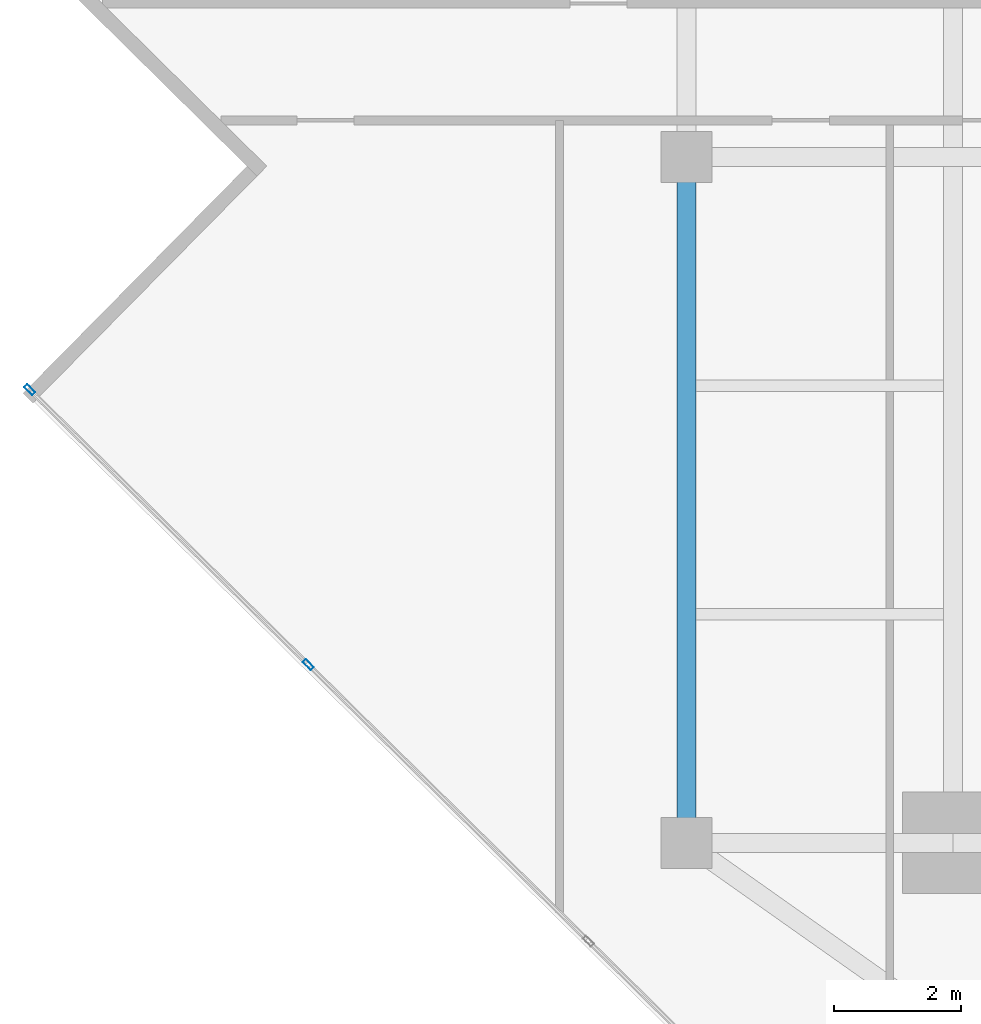
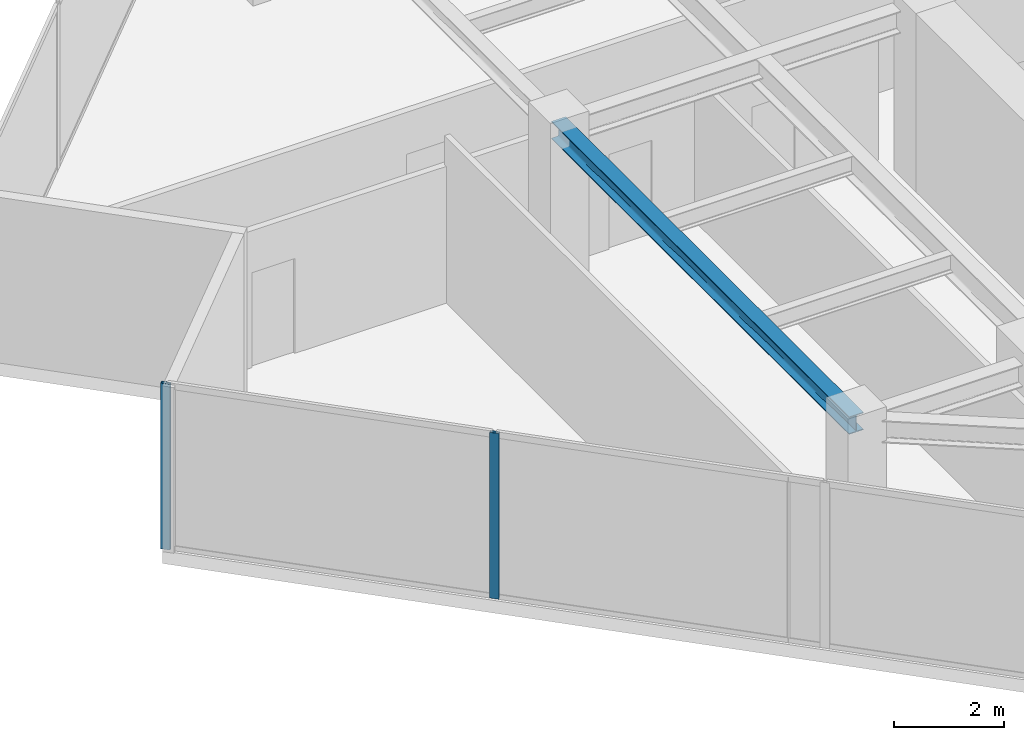
# One storey, part 5 of 24: 2 members, 1 beam, 1 element without a shape of its own.
"""IFC4 building model written with IfcOpenShell, lengths in metres."""

from ifc_helpers import new_model, si_unit, direction, frame, origin, origin_2d, place, context, subcontext, project, spatial, hollow_rectangle, i_section, extrude, source, transform, mapped, material, material_profile, profile_set, type_object, type_shapes, element, aggregate, save


model = new_model("IFC4")

# Units and contexts
model_context = context("Model", 3, precision=1e-05, world=origin(), true_north=direction((0.0, 1.0)))
body_context = subcontext(model_context, "Body", "Model", "MODEL_VIEW")
ifc_project = project(units=[si_unit("LENGTHUNIT", "METRE"), si_unit("AREAUNIT", "SQUARE_METRE"), si_unit("VOLUMEUNIT", "CUBIC_METRE"), si_unit("PLANEANGLEUNIT", "RADIAN"), si_unit("MASSUNIT", "GRAM", prefix="KILO")], contexts=[model_context])

# Site, building, storey
site_placement = place(None, origin())
site = spatial("IfcSite", under=ifc_project, at=site_placement, CompositionType="ELEMENT")
building_placement = place(site_placement, origin())
building = spatial("IfcBuilding", under=site, at=building_placement, Name="Krantzveldt Concourse Tower", CompositionType="ELEMENT")
storey_placement = place(building_placement, frame((0.0, 0.0, 231.0)))
storey = spatial("IfcBuildingStorey", under=building, at=storey_placement, Name="L56", CompositionType="ELEMENT", Elevation=231.0)

# Beam
ifc_material_1 = material(Name="Steel S355JR", Category="steel")
ifc_material_profile_1 = material_profile(ifc_material_1, i_section(OverallWidth=0.300048828125, OverallDepth=0.389892578125, WebThickness=0.010986328125, FlangeThickness=0.01904296875, FilletRadius=0.027099609375, at=origin_2d()), Name="Steel S355JR", Category="steel")
ifc_profile_set_1 = profile_set([ifc_material_profile_1], Name="Steel S355JR - HEA 400")
beam_type = type_object("IfcBeamType", Name="BM-SP-HEA400", PredefinedType="SPANDREL", material=ifc_profile_set_1)
shared_shape_1 = source(origin(), body_context, "Body", "SweptSolid", [
    extrude(i_section(OverallWidth=0.300048828125, OverallDepth=0.389892578125, WebThickness=0.010986328125, FlangeThickness=0.01904296875, FilletRadius=0.027099609375, at=origin_2d()), origin(), (0.0, 0.0, 1.0), 10.800048828125),
])
type_shapes(beam_type, [shared_shape_1])
beam_placement = place(storey_placement, frame((21.0, 15.89990234375, 3.47509765625), z_axis=(0.0, 1.0, 0.0), x_axis=(-1.0, 0.0, 0.0)))
element("IfcBeam", 1, at=beam_placement, inside=storey, type_object=beam_type, Name="L56 Tower Girder SP-R01", PredefinedType="SPANDREL", context=body_context, shape_type="MappedRepresentation", body=[
    mapped(shared_shape_1, transform((0.0, 0.0, 0.0), x_axis=(1.0, 0.0, 0.0), y_axis=(0.0, 1.0, 0.0), z_axis=(0.0, 0.0, 1.0), scale=1.0)),
])

# Curtain wall, members
ifc_material_2 = material(Name="Anodised aluminium 6063-T6", Category="aluminium")
curtain_wall_type = type_object("IfcCurtainWallType", Name="CW3", PredefinedType="USERDEFINED", material=ifc_material_2)
curtain_wall_placement = place(storey_placement, origin())
curtain_wall = element("IfcCurtainWall", 2, at=curtain_wall_placement, inside=storey, type_object=curtain_wall_type, Name="CW-L56-F04", ObjectType="UNITISED CURTAIN WALL", PredefinedType="USERDEFINED")
ifc_material_profile_2 = material_profile(ifc_material_2, hollow_rectangle(XDim=0.070068359375, YDim=0.179931640625, WallThickness=0.0048828125, at=origin_2d()), Name="Anodised aluminium 6063-T6", Category="aluminium")
ifc_profile_set_2 = profile_set([ifc_material_profile_2], Name="Anodised aluminium 6063-T6 - ALU-MULL 180x70x5")
member_type = type_object("IfcMemberType", Name="CW-MUL-180", PredefinedType="MULLION", material=ifc_profile_set_2)
shared_shape_2 = source(origin(), body_context, "Body", "SweptSolid", [
    extrude(hollow_rectangle(XDim=0.070068359375, YDim=0.179931640625, WallThickness=0.0048828125, at=origin_2d()), origin(), (0.0, 0.0, 1.0), 3.669921875),
])
type_shapes(member_type, [shared_shape_2])
member_1_placement = place(storey_placement, frame((10.656005859375, 23.037353515625, 0.0), z_axis=(0.0, 0.0, 1.0), x_axis=(0.702463570854, 0.711719700179, 0.0)))
member_1 = element("IfcMember", 3, at=member_1_placement, type_object=member_type, Name="CW-Z34 mullion 1", PredefinedType="MULLION", context=body_context, shape_type="MappedRepresentation", body=[
    mapped(shared_shape_2, transform((0.0, 0.0, 0.0), x_axis=(1.0, 0.0, 0.0), y_axis=(0.0, 1.0, 0.0), z_axis=(0.0, 0.0, 1.0), scale=1.0)),
])
member_2_placement = place(storey_placement, frame((15.043701171875, 18.706787109375, 0.0), z_axis=(0.0, 0.0, 1.0), x_axis=(0.702463570854, 0.711719700179, 0.0)))
member_2 = element("IfcMember", 4, at=member_2_placement, type_object=member_type, Name="CW-Z34 mullion 2", PredefinedType="MULLION", context=body_context, shape_type="MappedRepresentation", body=[
    mapped(shared_shape_2, transform((0.0, 0.0, 0.0), x_axis=(1.0, 0.0, 0.0), y_axis=(0.0, 1.0, 0.0), z_axis=(0.0, 0.0, 1.0), scale=1.0)),
])
aggregate(curtain_wall, [member_1, member_2])

save(model, "model.ifc")
